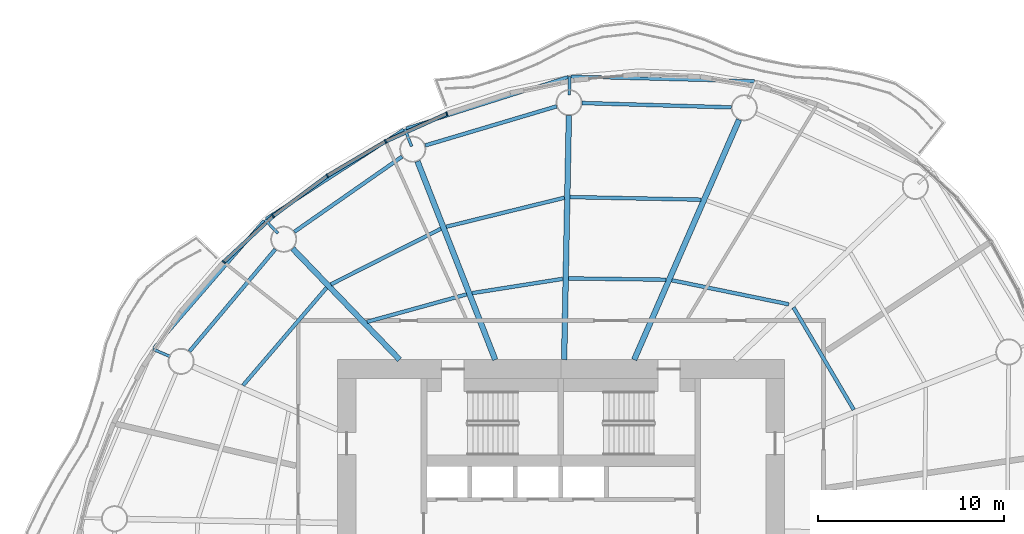
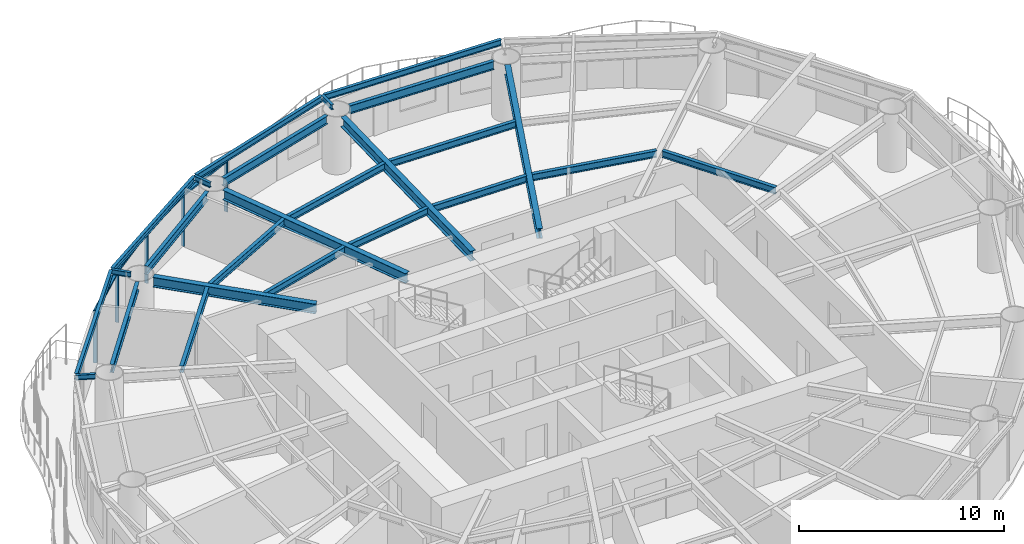
# One storey, part 5 of 15: 25 beams, 9 members, 4 elements without a shape of their own.
"""IFC4 building model written with IfcOpenShell, lengths in metres."""

from ifc_helpers import new_model, si_unit, direction, frame, origin, origin_2d, place, context, subcontext, project, spatial, rectangle, i_section, extrude, material, material_profile, profile_set, type_object, element, aggregate, save


model = new_model("IFC4")

# Units and contexts
model_context = context("Model", 3, precision=1e-05, world=origin(), true_north=direction((0.0, 1.0)))
body_context = subcontext(model_context, "Body", "Model", "MODEL_VIEW")
ifc_project = project(units=[si_unit("LENGTHUNIT", "METRE"), si_unit("AREAUNIT", "SQUARE_METRE"), si_unit("VOLUMEUNIT", "CUBIC_METRE"), si_unit("PLANEANGLEUNIT", "RADIAN"), si_unit("MASSUNIT", "GRAM", prefix="KILO")], contexts=[model_context])

# Site, building, storey
site_placement = place(None, origin())
site = spatial("IfcSite", under=ifc_project, at=site_placement, CompositionType="ELEMENT")
building_placement = place(site_placement, origin())
building = spatial("IfcBuilding", under=site, at=building_placement, Name="Vermilion Reach Broadcast Tower", CompositionType="ELEMENT")
storey_placement = place(building_placement, frame((0.0, 0.0, 168.60009765625)))
storey = spatial("IfcBuildingStorey", under=building, at=storey_placement, Name="L40", CompositionType="ELEMENT", Elevation=168.60009765625)

# Beams
ifc_material_1 = material(Name="Steel S355J2", Category="steel")
ifc_material_profile_1 = material_profile(ifc_material_1, i_section(OverallWidth=0.175048828125, OverallDepth=0.35009765625, WebThickness=0.007080078125, FlangeThickness=0.010986328125, at=origin_2d()), Name="S355J2 HN 350x175x7x11")
ifc_profile_set_1 = profile_set([ifc_material_profile_1], Name="Steel S355J2")
beam_type_1 = type_object("IfcBeamType", Name="EB3 HN 350x175x7x11", PredefinedType="BEAM", material=ifc_profile_set_1)
beam_1_placement = place(storey_placement, frame((4.384033203125, 23.944091796875, 3.27490234375), z_axis=(-0.999667901538, 0.02576987842, 0.0), x_axis=(-0.02576987842, -0.999667901538, 0.0)))
element("IfcBeam", 1, at=beam_1_placement, inside=storey, type_object=beam_type_1, Name="Edge beam EB3-02", PredefinedType="BEAM", context=body_context, shape_type="SweptSolid", body=[
    extrude(i_section(OverallWidth=0.175048828125, OverallDepth=0.35009765625, WebThickness=0.007080078125, FlangeThickness=0.010986328125, at=origin_2d()), origin(), (0.0, 0.0, 1.0), 9.84326171875),
])
beam_2_placement = place(storey_placement, frame((-5.606689453125, 24.17578125, 3.27490234375), z_axis=(-0.952934912634, -0.303174953259, 0.0), x_axis=(0.303174953259, -0.952934912634, 0.0)))
element("IfcBeam", 2, at=beam_2_placement, inside=storey, type_object=beam_type_1, Name="Edge beam EB3-03", PredefinedType="BEAM", context=body_context, shape_type="SweptSolid", body=[
    extrude(i_section(OverallWidth=0.175048828125, OverallDepth=0.35009765625, WebThickness=0.007080078125, FlangeThickness=0.010986328125, at=origin_2d()), origin(), (0.0, 0.0, 1.0), 9.1279296875),
])
beam_3_placement = place(storey_placement, frame((-14.44091796875, 21.34375, 3.27490234375), z_axis=(-0.838909922542, -0.54427028383, 0.0), x_axis=(0.54427028383, -0.838909922542, 0.0)))
element("IfcBeam", 3, at=beam_3_placement, inside=storey, type_object=beam_type_1, Name="Edge beam EB3-04", PredefinedType="BEAM", context=body_context, shape_type="SweptSolid", body=[
    extrude(i_section(OverallWidth=0.175048828125, OverallDepth=0.35009765625, WebThickness=0.007080078125, FlangeThickness=0.010986328125, at=origin_2d()), origin(), (0.0, 0.0, 1.0), 8.798095703125),
])
beam_4_placement = place(storey_placement, frame((-21.93505859375, 16.45654296875, 3.27490234375), z_axis=(-0.654203362196, -0.756318690031, 0.0), x_axis=(0.756318690031, -0.654203362196, 0.0)))
element("IfcBeam", 4, at=beam_4_placement, inside=storey, type_object=beam_type_1, Name="Edge beam EB3-05", PredefinedType="BEAM", context=body_context, shape_type="SweptSolid", body=[
    extrude(i_section(OverallWidth=0.175048828125, OverallDepth=0.35009765625, WebThickness=0.007080078125, FlangeThickness=0.010986328125, at=origin_2d()), origin(), (0.0, 0.0, 1.0), 9.02783203125),
])
ifc_material_2 = material(Name="Steel S355J2", Category="steel")
ifc_material_profile_2 = material_profile(ifc_material_2, i_section(OverallWidth=0.300048828125, OverallDepth=0.587890625, WebThickness=0.011962890625, FlangeThickness=0.02001953125, at=origin_2d()), Name="S355J2 HM 588x300x12x20")
ifc_profile_set_2 = profile_set([ifc_material_profile_2], Name="Steel S355J2")
beam_type_2 = type_object("IfcBeamType", Name="G3 HM 588x300x12x20", PredefinedType="BEAM", material=ifc_profile_set_2)
beam_5_placement = place(storey_placement, frame((-2.066162109375, 9.0, 3.156005859375), z_axis=(0.400519113205, 0.916288404356, 0.0), x_axis=(-0.916288404356, 0.400519113205, 0.0)))
element("IfcBeam", 5, at=beam_5_placement, inside=storey, type_object=beam_type_2, Name="Girder G3-02", PredefinedType="BEAM", context=body_context, shape_type="SweptSolid", body=[
    extrude(i_section(OverallWidth=0.300048828125, OverallDepth=0.587890625, WebThickness=0.011962890625, FlangeThickness=0.02001953125, at=origin_2d()), origin(), (0.0, 0.0, 1.0), 14.0595703125),
])
beam_6_placement = place(storey_placement, frame((-5.82568359375, 9.0, 3.156005859375), z_axis=(0.019378372481, 0.99981222171, 0.0), x_axis=(-0.99981222171, 0.019378372481, 0.0)))
element("IfcBeam", 6, at=beam_6_placement, inside=storey, type_object=beam_type_2, Name="Girder G3-03", PredefinedType="BEAM", context=body_context, shape_type="SweptSolid", body=[
    extrude(i_section(OverallWidth=0.300048828125, OverallDepth=0.587890625, WebThickness=0.011962890625, FlangeThickness=0.02001953125, at=origin_2d()), origin(), (0.0, 0.0, 1.0), 13.1025390625),
])
beam_7_placement = place(storey_placement, frame((-9.525146484375, 9.0, 3.156005859375), z_axis=(-0.364715649973, 0.931118947646, 0.0), x_axis=(-0.931118947646, -0.364715649973, 0.0)))
element("IfcBeam", 7, at=beam_7_placement, inside=storey, type_object=beam_type_2, Name="Girder G3-04", PredefinedType="BEAM", context=body_context, shape_type="SweptSolid", body=[
    extrude(i_section(OverallWidth=0.300048828125, OverallDepth=0.587890625, WebThickness=0.011962890625, FlangeThickness=0.02001953125, at=origin_2d()), origin(), (0.0, 0.0, 1.0), 11.436767578125),
])
beam_8_placement = place(storey_placement, frame((-14.657958984375, 9.0, 3.156005859375), z_axis=(-0.693282657492, 0.72066577331, 0.0), x_axis=(-0.72066577331, -0.693282657492, 0.0)))
element("IfcBeam", 8, at=beam_8_placement, inside=storey, type_object=beam_type_2, Name="Girder G3-05", PredefinedType="BEAM", context=body_context, shape_type="SweptSolid", body=[
    extrude(i_section(OverallWidth=0.300048828125, OverallDepth=0.587890625, WebThickness=0.011962890625, FlangeThickness=0.02001953125, at=origin_2d()), origin(), (0.0, 0.0, 1.0), 8.273681640625),
])
ifc_material_3 = material(Name="Steel S355J2", Category="steel")
ifc_material_profile_3 = material_profile(ifc_material_3, i_section(OverallWidth=0.14990234375, OverallDepth=0.300048828125, WebThickness=0.006591796875, FlangeThickness=0.009033203125, at=origin_2d()), Name="S355J2 HN 300x150x6.5x9")
ifc_profile_set_3 = profile_set([ifc_material_profile_3], Name="Steel S355J2")
beam_type_3 = type_object("IfcBeamType", Name="GS3 HN 300x150x6.5x9", PredefinedType="BEAM", material=ifc_profile_set_3)
for number, where, z_axis, x_axis, name in (
    (9, (-5.550537109375, 23.199951171875, 3.2998046875), (0.019532292583, 0.999809226576, 0.0), (-0.999809226576, 0.019532292583, 0.0), "Cantilever stub GS3-03"),
    (10, (-14.011962890625, 20.454345703125, 3.2998046875), (-0.364730702407, 0.931113051526, 0.0), (-0.931113051526, -0.364730702407, 0.0), "Cantilever stub GS3-04"),
    (11, (-21.1923828125, 15.79296875, 3.2998046875), (-0.693425818408, 0.720528024691, 0.0), (-0.720528024691, -0.693425818408, 0.0), "Cantilever stub GS3-05"),
    (12, (-26.976318359375, 9.168701171875, 3.2998046875), (-0.916330962408, 0.400421736837, 0.0), (-0.400421736837, -0.916330962408, 0.0), "Cantilever stub GS3-06"),
):
    element("IfcBeam", number, at=place(storey_placement, frame(where, z_axis=z_axis, x_axis=x_axis)), inside=storey, type_object=beam_type_3, Name=name, PredefinedType="BEAM", context=body_context, shape_type="SweptSolid", body=[
        extrude(i_section(OverallWidth=0.14990234375, OverallDepth=0.300048828125, WebThickness=0.006591796875, FlangeThickness=0.009033203125, at=origin_2d()), origin(), (0.0, 0.0, 1.0), 1.0),
    ])
ifc_material_4 = material(Name="Steel S355J2", Category="steel")
ifc_material_profile_4 = material_profile(ifc_material_4, i_section(OverallWidth=0.199951171875, OverallDepth=0.5, WebThickness=0.010009765625, FlangeThickness=0.01611328125, at=origin_2d()), Name="S355J2 HN 500x200x10x16")
ifc_profile_set_4 = profile_set([ifc_material_profile_4], Name="Steel S355J2")
beam_type_4 = type_object("IfcBeamType", Name="RB3 HN 500x200x10x16", PredefinedType="BEAM", material=ifc_profile_set_4)
beam_9_placement = place(storey_placement, frame((3.1455078125, 22.544677734375, 3.199951171875), z_axis=(-0.999569781146, 0.029330063427, 0.0), x_axis=(-0.029330063427, -0.999569781146, 0.0)))
element("IfcBeam", 13, at=beam_9_placement, inside=storey, type_object=beam_type_4, Name="Ring beam RB3-02", PredefinedType="BEAM", context=body_context, shape_type="SweptSolid", body=[
    extrude(i_section(OverallWidth=0.199951171875, OverallDepth=0.5, WebThickness=0.010009765625, FlangeThickness=0.01611328125, at=origin_2d()), origin(), (0.0, 0.0, 1.0), 8.007568359375),
])
beam_10_placement = place(storey_placement, frame((-6.229248046875, 22.60009765625, 3.199951171875), z_axis=(-0.958416970322, -0.285371531516, 0.0), x_axis=(0.285371531516, -0.958416970322, 0.0)))
element("IfcBeam", 14, at=beam_10_placement, inside=storey, type_object=beam_type_4, Name="Ring beam RB3-03", PredefinedType="BEAM", context=body_context, shape_type="SweptSolid", body=[
    extrude(i_section(OverallWidth=0.199951171875, OverallDepth=0.5, WebThickness=0.010009765625, FlangeThickness=0.01611328125, at=origin_2d()), origin(), (0.0, 0.0, 1.0), 7.357421875),
])
beam_11_placement = place(storey_placement, frame((-14.525634765625, 19.900146484375, 3.199951171875), z_axis=(-0.820111453349, -0.572203813415, 0.0), x_axis=(0.572203813415, -0.820111453349, 0.0)))
element("IfcBeam", 15, at=beam_11_placement, inside=storey, type_object=beam_type_4, Name="Ring beam RB3-04", PredefinedType="BEAM", context=body_context, shape_type="SweptSolid", body=[
    extrude(i_section(OverallWidth=0.199951171875, OverallDepth=0.5, WebThickness=0.010009765625, FlangeThickness=0.01611328125, at=origin_2d()), origin(), (0.0, 0.0, 1.0), 7.04736328125),
])
beam_12_placement = place(storey_placement, frame((-21.32958984375, 14.931396484375, 3.199951171875), z_axis=(-0.643350337931, -0.765571905626, 0.0), x_axis=(0.765571905626, -0.643350337931, 0.0)))
element("IfcBeam", 16, at=beam_12_placement, inside=storey, type_object=beam_type_4, Name="Ring beam RB3-05", PredefinedType="BEAM", context=body_context, shape_type="SweptSolid", body=[
    extrude(i_section(OverallWidth=0.199951171875, OverallDepth=0.5, WebThickness=0.010009765625, FlangeThickness=0.01611328125, at=origin_2d()), origin(), (0.0, 0.0, 1.0), 7.1630859375),
])
ifc_material_5 = material(Name="Steel S355J2", Category="steel")
ifc_material_profile_5 = material_profile(ifc_material_5, i_section(OverallWidth=0.199951171875, OverallDepth=0.39990234375, WebThickness=0.008056640625, FlangeThickness=0.012939453125, at=origin_2d()), Name="S355J2 HN 400x200x8x13")
ifc_profile_set_5 = profile_set([ifc_material_profile_5], Name="Steel S355J2")
beam_type_5 = type_object("IfcBeamType", Name="SB3 HN 400x200x8x13", PredefinedType="BEAM", material=ifc_profile_set_5)
beam_13_placement = place(storey_placement, frame((6.232666015625, 11.975830078125, 3.25), z_axis=(-0.97956765607, 0.201114910391, 0.0), x_axis=(-0.201114910391, -0.97956765607, 0.0)))
element("IfcBeam", 17, at=beam_13_placement, inside=storey, type_object=beam_type_5, Name="Secondary beam SB3-01-1", PredefinedType="BEAM", context=body_context, shape_type="SweptSolid", body=[
    extrude(i_section(OverallWidth=0.199951171875, OverallDepth=0.39990234375, WebThickness=0.008056640625, FlangeThickness=0.012939453125, at=origin_2d()), origin(), (0.0, 0.0, 1.0), 6.40234375),
])
beam_14_placement = place(storey_placement, frame((-0.351806640625, 13.29638671875, 3.25), z_axis=(-0.999914891843, 0.013046419838, 0.0), x_axis=(-0.013046419838, -0.999914891843, 0.0)))
element("IfcBeam", 18, at=beam_14_placement, inside=storey, type_object=beam_type_5, Name="Secondary beam SB3-02-1", PredefinedType="BEAM", context=body_context, shape_type="SweptSolid", body=[
    extrude(i_section(OverallWidth=0.199951171875, OverallDepth=0.39990234375, WebThickness=0.008056640625, FlangeThickness=0.012939453125, at=origin_2d()), origin(), (0.0, 0.0, 1.0), 5.23974609375),
])
beam_15_placement = place(storey_placement, frame((1.525634765625, 17.591552734375, 3.25), z_axis=(-0.999804929321, 0.019751033045, 0.0), x_axis=(-0.019751033045, -0.999804929321, 0.0)))
element("IfcBeam", 19, at=beam_15_placement, inside=storey, type_object=beam_type_5, Name="Secondary beam SB3-02-2", PredefinedType="BEAM", context=body_context, shape_type="SweptSolid", body=[
    extrude(i_section(OverallWidth=0.199951171875, OverallDepth=0.39990234375, WebThickness=0.008056640625, FlangeThickness=0.012939453125, at=origin_2d()), origin(), (0.0, 0.0, 1.0), 7.033447265625),
])
beam_16_placement = place(storey_placement, frame((-5.8916015625, 13.343017578125, 3.25), z_axis=(-0.987756142208, -0.15600578044, 0.0), x_axis=(0.15600578044, -0.987756142208, 0.0)))
element("IfcBeam", 20, at=beam_16_placement, inside=storey, type_object=beam_type_5, Name="Secondary beam SB3-03-1", PredefinedType="BEAM", context=body_context, shape_type="SweptSolid", body=[
    extrude(i_section(OverallWidth=0.199951171875, OverallDepth=0.39990234375, WebThickness=0.008056640625, FlangeThickness=0.012939453125, at=origin_2d()), origin(), (0.0, 0.0, 1.0), 4.9326171875),
])
beam_17_placement = place(storey_placement, frame((-5.80712890625, 17.6962890625, 3.25), z_axis=(-0.971111691931, -0.238625400566, 0.0), x_axis=(0.238625400566, -0.971111691931, 0.0)))
element("IfcBeam", 21, at=beam_17_placement, inside=storey, type_object=beam_type_5, Name="Secondary beam SB3-03-2", PredefinedType="BEAM", context=body_context, shape_type="SweptSolid", body=[
    extrude(i_section(OverallWidth=0.199951171875, OverallDepth=0.39990234375, WebThickness=0.008056640625, FlangeThickness=0.012939453125, at=origin_2d()), origin(), (0.0, 0.0, 1.0), 6.540771484375),
])
beam_18_placement = place(storey_placement, frame((-11.06103515625, 12.509521484375, 3.25), z_axis=(-0.963889790258, -0.266301468708, 0.0), x_axis=(0.266301468708, -0.963889790258, 0.0)))
element("IfcBeam", 22, at=beam_18_placement, inside=storey, type_object=beam_type_5, Name="Secondary beam SB3-04-1", PredefinedType="BEAM", context=body_context, shape_type="SweptSolid", body=[
    extrude(i_section(OverallWidth=0.199951171875, OverallDepth=0.39990234375, WebThickness=0.008056640625, FlangeThickness=0.012939453125, at=origin_2d()), origin(), (0.0, 0.0, 1.0), 5.544677734375),
])
beam_19_placement = place(storey_placement, frame((-12.4404296875, 16.03125, 3.25), z_axis=(-0.892320561657, -0.451402276516, 0.0), x_axis=(0.451402276516, -0.892320561657, 0.0)))
element("IfcBeam", 23, at=beam_19_placement, inside=storey, type_object=beam_type_5, Name="Secondary beam SB3-04-2", PredefinedType="BEAM", context=body_context, shape_type="SweptSolid", body=[
    extrude(i_section(OverallWidth=0.199951171875, OverallDepth=0.39990234375, WebThickness=0.008056640625, FlangeThickness=0.012939453125, at=origin_2d()), origin(), (0.0, 0.0, 1.0), 6.613525390625),
])
beam_20_placement = place(storey_placement, frame((-18.579833984375, 12.860595703125, 3.25), z_axis=(-0.650167134505, -0.759791219487, 0.0), x_axis=(0.759791219487, -0.650167134505, 0.0)))
element("IfcBeam", 24, at=beam_20_placement, inside=storey, type_object=beam_type_5, Name="Secondary beam SB3-05-2", PredefinedType="BEAM", context=body_context, shape_type="SweptSolid", body=[
    extrude(i_section(OverallWidth=0.199951171875, OverallDepth=0.39990234375, WebThickness=0.008056640625, FlangeThickness=0.012939453125, at=origin_2d()), origin(), (0.0, 0.0, 1.0), 6.89501953125),
])
beam_21_placement = place(storey_placement, frame((9.71923828125, 6.318115234375, 3.25), z_axis=(-0.507249643612, 0.861799163991, 0.0), x_axis=(-0.861799163991, -0.507249643612, 0.0)))
element("IfcBeam", 25, at=beam_21_placement, inside=storey, type_object=beam_type_5, Name="Secondary beam SB3-16-1", PredefinedType="BEAM", context=body_context, shape_type="SweptSolid", body=[
    extrude(i_section(OverallWidth=0.199951171875, OverallDepth=0.39990234375, WebThickness=0.008056640625, FlangeThickness=0.012939453125, at=origin_2d()), origin(), (0.0, 0.0, 1.0), 6.3681640625),
])

# Curtain wall, member
ifc_material_6 = material(Name="Low-e laminated clear glass in aluminium frame", Category="aluminium")
curtain_wall_type = type_object("IfcCurtainWallType", Name="Slot curtain wall", PredefinedType="NOTDEFINED", material=ifc_material_6)
placement = place(storey_placement, origin())
curtain_wall_1 = element("IfcCurtainWall", 26, at=placement, inside=storey, type_object=curtain_wall_type, Name="Slot curtain wall L40 10", PredefinedType="NOTDEFINED")
ifc_material_7 = material(Name="Anodised aluminium", Category="aluminium")
ifc_material_profile_6 = material_profile(ifc_material_7, rectangle(XDim=0.199951171875, YDim=0.080078125, at=origin_2d()), Name="Slot mullion 80 x 200")
ifc_profile_set_6 = profile_set([ifc_material_profile_6], Name="Anodised aluminium")
member_type_1 = type_object("IfcMemberType", Name="Slot mullion 80 x 200", PredefinedType="MULLION", material=ifc_profile_set_6)
member_1_placement = place(storey_placement, frame((-12.123291015625, 22.2021484375, 0.0), z_axis=(0.0, 0.0, 1.0), x_axis=(0.361608303716, -0.93233011036, 0.0)))
member_1 = element("IfcMember", 27, at=member_1_placement, type_object=member_type_1, Name="Slot mullion L40 10", PredefinedType="MULLION", context=body_context, shape_type="SweptSolid", body=[
    extrude(rectangle(XDim=0.199951171875, YDim=0.080078125, at=origin_2d()), origin(), (0.0, 0.0, 1.0), 3.099853515625),
])

curtain_wall_2 = element("IfcCurtainWall", 28, at=placement, inside=storey, type_object=curtain_wall_type, Name="Slot curtain wall L40 11", PredefinedType="NOTDEFINED")
member_2_placement = place(storey_placement, frame((-15.411376953125, 20.714599609375, 0.0), z_axis=(0.0, 0.0, 1.0), x_axis=(0.460727605702, -0.887541589642, 0.0)))
member_2 = element("IfcMember", 29, at=member_2_placement, type_object=member_type_1, Name="Slot mullion L40 11", PredefinedType="MULLION", context=body_context, shape_type="SweptSolid", body=[
    extrude(rectangle(XDim=0.199951171875, YDim=0.080078125, at=origin_2d()), origin(), (0.0, 0.0, 1.0), 3.099853515625),
])

curtain_wall_3 = element("IfcCurtainWall", 30, at=placement, inside=storey, type_object=curtain_wall_type, Name="Slot curtain wall L40 12", PredefinedType="NOTDEFINED")
member_3_placement = place(storey_placement, frame((-18.537841796875, 18.87109375, 0.0), z_axis=(0.0, 0.0, 1.0), x_axis=(0.553391581996, -0.832921218949, 0.0)))
member_3 = element("IfcMember", 31, at=member_3_placement, type_object=member_type_1, Name="Slot mullion L40 12", PredefinedType="MULLION", context=body_context, shape_type="SweptSolid", body=[
    extrude(rectangle(XDim=0.199951171875, YDim=0.080078125, at=origin_2d()), origin(), (0.0, 0.0, 1.0), 3.099853515625),
])

# Curtain wall, members
curtain_wall_4 = element("IfcCurtainWall", 32, at=placement, inside=storey, type_object=curtain_wall_type, Name="Slot curtain wall L40 13", PredefinedType="NOTDEFINED")
member_4_placement = place(storey_placement, frame((-21.448974609375, 16.703125, 0.0), z_axis=(0.0, 0.0, 1.0), x_axis=(0.639652808957, -0.768663960384, 0.0)))
member_4 = element("IfcMember", 33, at=member_4_placement, type_object=member_type_1, Name="Slot mullion L40 13", PredefinedType="MULLION", context=body_context, shape_type="SweptSolid", body=[
    extrude(rectangle(XDim=0.199951171875, YDim=0.080078125, at=origin_2d()), origin(), (0.0, 0.0, 1.0), 3.099853515625),
])
member_5_placement = place(storey_placement, frame((-24.094482421875, 14.24853515625, 0.0), z_axis=(0.0, 0.0, 1.0), x_axis=(0.719351874609, -0.694645866968, 0.0)))
member_5 = element("IfcMember", 34, at=member_5_placement, type_object=member_type_1, Name="Slot mullion L40 14", PredefinedType="MULLION", context=body_context, shape_type="SweptSolid", body=[
    extrude(rectangle(XDim=0.199951171875, YDim=0.080078125, at=origin_2d()), origin(), (0.0, 0.0, 1.0), 3.099853515625),
])

# Member
ifc_material_8 = material(Name="Anodised aluminium", Category="aluminium")
ifc_material_profile_7 = material_profile(ifc_material_8, rectangle(XDim=0.199951171875, YDim=0.10009765625, at=origin_2d()), Name="Slot transom 200 x 100")
ifc_profile_set_7 = profile_set([ifc_material_profile_7], Name="Anodised aluminium")
member_type_2 = type_object("IfcMemberType", Name="Slot transom 200 x 100", PredefinedType="USERDEFINED", material=ifc_profile_set_7)
member_6_placement = place(storey_placement, frame((-12.15966796875, 22.185791015625, 3.0498046875), z_axis=(-0.911092457396, -0.412202054914, 0.0), x_axis=(0.412202054914, -0.911092457396, 0.0)))
member_6 = element("IfcMember", 35, at=member_6_placement, type_object=member_type_2, Name="Slot transom L40 10.1", ObjectType="TRANSOM", PredefinedType="USERDEFINED", context=body_context, shape_type="SweptSolid", body=[
    extrude(rectangle(XDim=0.199951171875, YDim=0.10009765625, at=origin_2d()), origin(), (0.0, 0.0, 1.0), 3.52880859375),
])

aggregate(curtain_wall_1, [member_1, member_6])

member_7_placement = place(storey_placement, frame((-15.44580078125, 20.6943359375, 3.0498046875), z_axis=(-0.861394453903, -0.507936605084, 0.0), x_axis=(0.507936605084, -0.861394453903, 0.0)))
member_7 = element("IfcMember", 36, at=member_7_placement, type_object=member_type_2, Name="Slot transom L40 11.1", ObjectType="TRANSOM", PredefinedType="USERDEFINED", context=body_context, shape_type="SweptSolid", body=[
    extrude(rectangle(XDim=0.199951171875, YDim=0.10009765625, at=origin_2d()), origin(), (0.0, 0.0, 1.0), 3.549560546875),
])

aggregate(curtain_wall_2, [member_2, member_7])

member_8_placement = place(storey_placement, frame((-18.570068359375, 18.84716796875, 3.0498046875), z_axis=(-0.802033997106, -0.597278383575, 0.0), x_axis=(0.597278383575, -0.802033997106, 0.0)))
member_8 = element("IfcMember", 37, at=member_8_placement, type_object=member_type_2, Name="Slot transom L40 12.1", ObjectType="TRANSOM", PredefinedType="USERDEFINED", context=body_context, shape_type="SweptSolid", body=[
    extrude(rectangle(XDim=0.199951171875, YDim=0.10009765625, at=origin_2d()), origin(), (0.0, 0.0, 1.0), 3.549560546875),
])

aggregate(curtain_wall_3, [member_3, member_8])

member_9_placement = place(storey_placement, frame((-21.478515625, 16.676025390625, 3.0498046875), z_axis=(-0.733007831867, -0.680220198482, 0.0), x_axis=(0.680220198482, -0.733007831867, 0.0)))
member_9 = element("IfcMember", 38, at=member_9_placement, type_object=member_type_2, Name="Slot transom L40 13.1", ObjectType="TRANSOM", PredefinedType="USERDEFINED", context=body_context, shape_type="SweptSolid", body=[
    extrude(rectangle(XDim=0.199951171875, YDim=0.10009765625, at=origin_2d()), origin(), (0.0, 0.0, 1.0), 3.52880859375),
])

aggregate(curtain_wall_4, [member_4, member_5, member_9])

save(model, "model.ifc")
